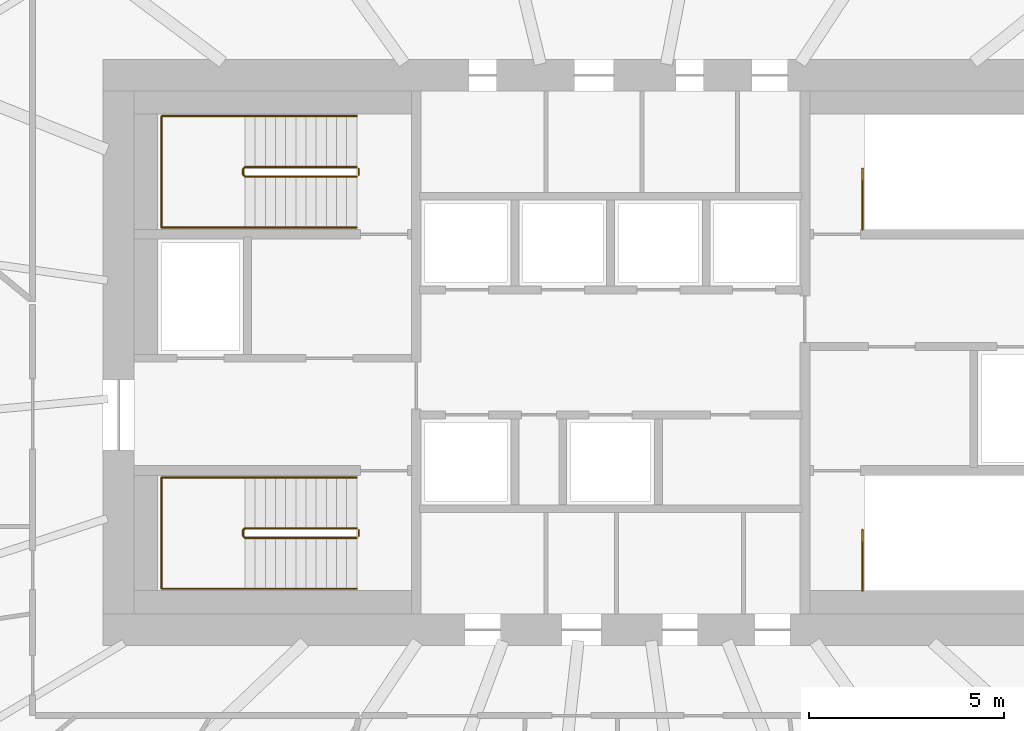
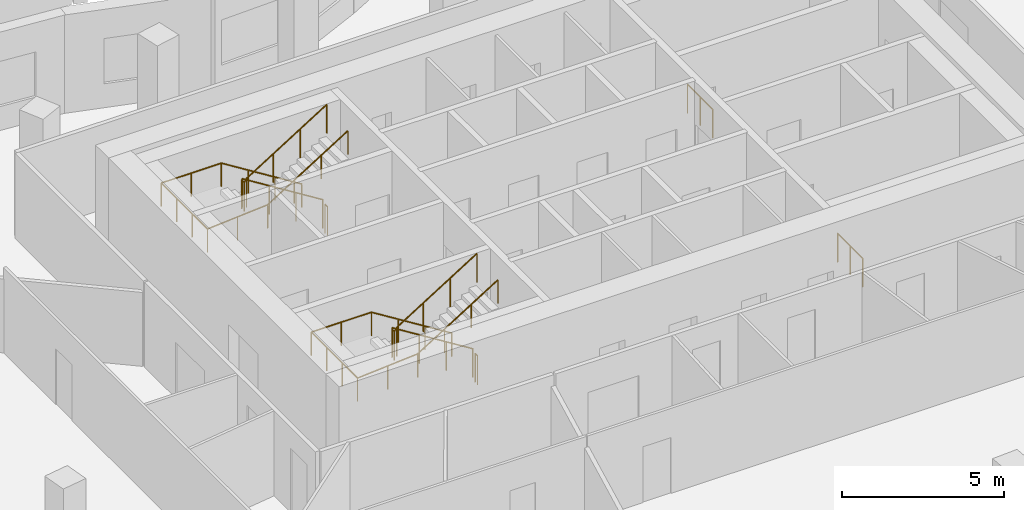
# One storey, part 9 of 9: 8 railings.
"""IFC4 building model written with IfcOpenShell, lengths in metres."""

import ifcopenshell
import ifcopenshell.guid

model = None  # the IFC model being written
_history = None  # IfcOwnerHistory: only IFC2X3 demands one
_inside = {}  # id of a spatial element -> (the spatial element, [elements in it])
_under = {}  # id of a project, library or spatial element -> (it, [spatial elements below it])
_declared = {}  # id of a project -> (the project, [libraries it declares])
_typed = {}  # id of a type object -> (the type object, [elements of that type])
_made_of = {}  # id of a material, layer set ... -> (it, [elements and type objects made of it])


def new_model(schema):
    """Start an empty IFC model of exactly this schema.

    Asked for "IFC4X3", IfcOpenShell would pick the latest addendum, in which some entities
    have other attributes; the version numbers below select the first issue.
    IFC2X3 requires an IfcOwnerHistory on every rooted entity: one is made here for all.
    """
    global model, _history
    if schema == "IFC4X3":
        model = ifcopenshell.file(schema_version=(4, 3, 0, 0))
    else:
        model = ifcopenshell.file(schema=schema)
    _inside.clear()
    _under.clear()
    _declared.clear()
    _typed.clear()
    _made_of.clear()
    _history = None
    if model.schema == "IFC2X3":
        org = make("IfcOrganization", Name="unknown")
        user = make(
            "IfcPersonAndOrganization",
            ThePerson=make("IfcPerson", FamilyName="unknown"),
            TheOrganization=org,
        )
        app = make(
            "IfcApplication",
            ApplicationDeveloper=org,
            Version="unknown",
            ApplicationFullName="unknown",
            ApplicationIdentifier="unknown",
        )
        _history = make(
            "IfcOwnerHistory",
            OwningUser=user,
            OwningApplication=app,
            ChangeAction="ADDED",
            CreationDate=0,
        )
    return model


def make(cls, **values):
    """One entity of the class cls with the attributes given. An attribute that is None is left unset."""
    return model.create_entity(
        cls, **{name: value for name, value in values.items() if value is not None}
    )


def rooted(cls, **values):
    """An entity with a GlobalId (a new one), such as an element, a storey or a relation."""
    return make(cls, GlobalId=ifcopenshell.guid.new(), OwnerHistory=_history, **values)


def si_unit(unit_type, name, prefix=None):
    """IfcSIUnit, for example si_unit("LENGTHUNIT", "METRE", prefix="MILLI")."""
    return make("IfcSIUnit", UnitType=unit_type, Prefix=prefix, Name=name)


def assignment(units):
    """IfcUnitAssignment: the units of a project."""
    return None if units is None else make("IfcUnitAssignment", Units=units)


def point(xyz):
    """IfcCartesianPoint."""
    return None if xyz is None else make("IfcCartesianPoint", Coordinates=xyz)


def direction(xyz):
    """IfcDirection."""
    return None if xyz is None else make("IfcDirection", DirectionRatios=xyz)


def frame(location, z_axis=None, x_axis=None):
    """IfcAxis2Placement3D, a coordinate frame: its origin and axes. An axis left out is left unset."""
    return make(
        "IfcAxis2Placement3D",
        Location=point(location),
        Axis=direction(z_axis),
        RefDirection=direction(x_axis),
    )


def frame_2d(location, x_axis=None):
    """IfcAxis2Placement2D, a coordinate frame in the plane: its origin and x axis."""
    return make(
        "IfcAxis2Placement2D", Location=point(location), RefDirection=direction(x_axis)
    )


def origin():
    """The frame at (0, 0, 0) with its axes left unset."""
    return frame((0.0, 0.0, 0.0))


def origin_2d():
    """The frame at (0, 0) in the plane with its x axis left unset."""
    return frame_2d((0.0, 0.0))


def place(relative_to, where):
    """IfcLocalPlacement: puts the frame where relative to a parent placement (None: the world)."""
    return make(
        "IfcLocalPlacement", PlacementRelTo=relative_to, RelativePlacement=where
    )


def context(
    kind, dimensions, precision=None, world=None, true_north=None, identifier=None
):
    """IfcGeometricRepresentationContext, for example the 3D "Model" context."""
    return make(
        "IfcGeometricRepresentationContext",
        ContextIdentifier=identifier,
        ContextType=kind,
        CoordinateSpaceDimension=dimensions,
        Precision=precision,
        WorldCoordinateSystem=world,
        TrueNorth=true_north,
    )


def subcontext(parent, identifier, kind, view, scale=None):
    """IfcGeometricRepresentationSubContext, for example "Body" below "Model"."""
    return make(
        "IfcGeometricRepresentationSubContext",
        ContextIdentifier=identifier,
        ContextType=kind,
        ParentContext=parent,
        TargetScale=scale,
        TargetView=view,
    )


def project(units=None, contexts=None):
    """IfcProject with its units and contexts."""
    return rooted(
        "IfcProject",
        Name="project",
        RepresentationContexts=contexts,
        UnitsInContext=assignment(units),
    )


def spatial(cls, under=None, at=None, **own):
    """A site, building, storey or space (cls), placed at a placement, below another one or the project."""
    s = rooted(cls, ObjectPlacement=at, **own)
    if under is not None:
        _under.setdefault(under.id(), (under, []))[1].append(s)
    return s


def profile(cls, at=None, kind="AREA", **sizes):
    """A parametric profile (cls). Its sizes go by their IFC names, for example OverallWidth=200.0."""
    return make(cls, ProfileType=kind, Position=at, **sizes)


def circle(**sizes):
    """IfcCircleProfileDef."""
    return profile("IfcCircleProfileDef", **sizes)


def extrude(swept, where, along, depth):
    """IfcExtrudedAreaSolid: the profile swept, set in the frame where, extruded along a direction by depth."""
    return make(
        "IfcExtrudedAreaSolid",
        SweptArea=swept,
        Position=where,
        ExtrudedDirection=direction(along),
        Depth=depth,
    )


def shape(context_of_items, identifier, shape_type, items):
    """IfcShapeRepresentation: the items that make up one representation, for example the "Body"."""
    return make(
        "IfcShapeRepresentation",
        ContextOfItems=context_of_items,
        RepresentationIdentifier=identifier,
        RepresentationType=shape_type,
        Items=items,
    )


def material(Name=None, Category=None):
    """IfcMaterial."""
    return make("IfcMaterial", Name=Name, Category=Category)


def made_of(thing, what):
    """Note that an element or type object is made of a material, layer set ...; save() writes the relation."""
    if what is not None:
        _made_of.setdefault(what.id(), (what, []))[1].append(thing)
    return thing


def type_object(cls, material=None, **own):
    """A type object (cls), such as IfcWallType, which elements share."""
    return made_of(rooted(cls, **own), material)


def element(
    cls,
    number,
    at=None,
    inside=None,
    cuts=None,
    type_object=None,
    material=None,
    context=None,
    identifier="Body",
    shape_type=None,
    held_by="IfcProductDefinitionShape",
    body=None,
    shapes=None,
    **own,
):
    """One element of the class cls, such as IfcWall. Its Tag is "e" and its number.

    at: its placement. inside: the storey or other place that contains it. cuts: it is an
    opening in that element (IfcRelVoidsElement). A single representation is given by context,
    identifier, shape_type and body (its items); several are given by shapes. held_by: the class
    of the entity that holds the representations. save() writes the other relations.
    """
    e = rooted(cls, Tag="e%d" % number, ObjectPlacement=at, **own)
    if body is not None:
        shapes = [shape(context, identifier, shape_type, body)]
    if shapes is not None:
        e.Representation = make(held_by, Representations=shapes)
    if inside is not None:
        _inside.setdefault(inside.id(), (inside, []))[1].append(e)
    if cuts is not None:
        rooted(
            "IfcRelVoidsElement", RelatingBuildingElement=cuts, RelatedOpeningElement=e
        )
    if type_object is not None:
        _typed.setdefault(type_object.id(), (type_object, []))[1].append(e)
    return made_of(e, material)


def aggregate(whole, parts):
    """IfcRelAggregates: a whole, such as a stair, and the parts it consists of."""
    return rooted("IfcRelAggregates", RelatingObject=whole, RelatedObjects=parts)


def save(model, path):
    """Write the relations noted so far, then the file.

    IfcRelAggregates (storeys below a building ...), IfcRelContainedInSpatialStructure (elements
    in a storey), IfcRelDefinesByType, IfcRelAssociatesMaterial and IfcRelDeclares: one each for
    every whole, place, type object, material and project.
    """
    for whole, parts in _under.values():
        aggregate(whole, parts)
    for where, things in _inside.values():
        rooted(
            "IfcRelContainedInSpatialStructure",
            RelatedElements=things,
            RelatingStructure=where,
        )
    for kind, things in _typed.values():
        rooted("IfcRelDefinesByType", RelatedObjects=things, RelatingType=kind)
    for what, things in _made_of.values():
        rooted("IfcRelAssociatesMaterial", RelatedObjects=things, RelatingMaterial=what)
    for by, libraries in _declared.values():
        rooted("IfcRelDeclares", RelatingContext=by, RelatedDefinitions=libraries)
    model.write(path)


model = new_model("IFC4")

# Units and contexts
model_context = context("Model", 3, precision=1e-05, world=origin(), true_north=direction((0.0, 1.0)))
body_context = subcontext(model_context, "Body", "Model", "MODEL_VIEW")
ifc_project = project(units=[si_unit("LENGTHUNIT", "METRE"), si_unit("AREAUNIT", "SQUARE_METRE"), si_unit("VOLUMEUNIT", "CUBIC_METRE"), si_unit("PLANEANGLEUNIT", "RADIAN"), si_unit("MASSUNIT", "GRAM", prefix="KILO")], contexts=[model_context])

# Site, building, storey
site_placement = place(None, origin())
site = spatial("IfcSite", under=ifc_project, at=site_placement, CompositionType="ELEMENT")
building_placement = place(site_placement, origin())
building = spatial("IfcBuilding", under=site, at=building_placement, Name="Rubra Terraces Tower", CompositionType="ELEMENT")
storey_placement = place(building_placement, frame((0.0, 0.0, 303.89990234375)))
storey = spatial("IfcBuildingStorey", under=building, at=storey_placement, Name="L75", CompositionType="ELEMENT", Elevation=303.89990234375)

# Railings
ifc_material = material(Name="Stainless steel", Category="steel")
railing_type_1 = type_object("IfcRailingType", Name="Core stair guard 1100", PredefinedType="GUARDRAIL", material=ifc_material)
railing_1_placement = place(storey_placement, frame((-6.5, 0.0, 0.16259765625)))
element("IfcRailing", 1, at=railing_1_placement, inside=storey, type_object=railing_type_1, Name="L75 stair S1 guard 1", PredefinedType="GUARDRAIL", context=body_context, shape_type="SweptSolid", body=[
    extrude(circle(Radius=0.02392578125, at=origin_2d()), frame((0.0, 0.0, 1.076171875), z_axis=(-0.847994237388, 0.0, 0.530005446535), x_axis=(0.0, -1.0, 0.0)), (0.0, 0.0, 1.0), 3.372802734375),
    extrude(circle(Radius=0.02392578125, at=origin_2d()), frame((-2.860107421875, 0.0, 2.86376953125), z_axis=(-0.705375805398, -0.708833529934, 0.0), x_axis=(0.708833529934, -0.705375805398, 0.0)), (0.0, 0.0, 1.0), 0.070556640625),
    extrude(circle(Radius=0.02392578125, at=origin_2d()), frame((-2.909912109375, -0.050048828125, 2.86376953125), z_axis=(0.0, -1.0, 0.0), x_axis=(1.0, 0.0, 0.0)), (0.0, 0.0, 1.0), 0.14990234375),
    extrude(circle(Radius=0.02392578125, at=origin_2d()), frame((-2.909912109375, -0.199951171875, 2.86376953125), z_axis=(0.281314826061, -0.282693820306, 0.917031173188), x_axis=(0.708833529934, 0.705375805398, 0.0)), (0.0, 0.0, 1.0), 0.177001953125),
    extrude(circle(Radius=0.02392578125, at=origin_2d()), frame((-2.860107421875, -0.25, 3.02587890625), z_axis=(0.847994237388, 0.0, 0.530005446535), x_axis=(0.0, 1.0, 0.0)), (0.0, 0.0, 1.0), 3.372802734375),
    extrude(circle(Radius=0.02099609375, at=origin_2d()), origin(), (0.0, 0.0, 1.0), 1.052001953125),
    extrude(circle(Radius=0.02099609375, at=origin_2d()), frame((-0.953369140625, 0.0, 0.595947265625)), (0.0, 0.0, 1.0), 1.052001953125),
    extrude(circle(Radius=0.02099609375, at=origin_2d()), frame((-1.90673828125, 0.0, 1.191650390625)), (0.0, 0.0, 1.0), 1.052001953125),
    extrude(circle(Radius=0.02099609375, at=origin_2d()), frame((-2.860107421875, 0.0, 1.78759765625)), (0.0, 0.0, 1.0), 1.052001953125),
    extrude(circle(Radius=0.02099609375, at=origin_2d()), frame((-2.909912109375, -0.050048828125, 1.78759765625)), (0.0, 0.0, 1.0), 1.052001953125),
    extrude(circle(Radius=0.02099609375, at=origin_2d()), frame((-2.909912109375, -0.199951171875, 1.78759765625)), (0.0, 0.0, 1.0), 1.052001953125),
    extrude(circle(Radius=0.02099609375, at=origin_2d()), frame((-2.860107421875, -0.25, 1.949951171875)), (0.0, 0.0, 1.0), 1.052001953125),
    extrude(circle(Radius=0.02099609375, at=origin_2d()), frame((-1.90673828125, -0.25, 2.5458984375)), (0.0, 0.0, 1.0), 1.052001953125),
    extrude(circle(Radius=0.02099609375, at=origin_2d()), frame((-0.953369140625, -0.25, 3.1416015625)), (0.0, 0.0, 1.0), 1.052001953125),
    extrude(circle(Radius=0.02099609375, at=origin_2d()), frame((0.0, -0.25, 3.737548828125)), (0.0, 0.0, 1.0), 1.052001953125),
])
railing_2_placement = place(storey_placement, frame((-6.449951171875, -0.050048828125, 0.0)))
element("IfcRailing", 2, at=railing_2_placement, inside=storey, type_object=railing_type_1, Name="L75 stair S1 guard 2", PredefinedType="GUARDRAIL", context=body_context, shape_type="SweptSolid", body=[
    extrude(circle(Radius=0.02392578125, at=origin_2d()), frame((0.0, 0.0, 1.076171875), z_axis=(0.0, -1.0, 0.0), x_axis=(1.0, 0.0, 0.0)), (0.0, 0.0, 1.0), 0.14990234375),
    extrude(circle(Radius=0.02099609375, at=origin_2d()), origin(), (0.0, 0.0, 1.0), 1.052001953125),
    extrude(circle(Radius=0.02099609375, at=origin_2d()), frame((0.0, -0.14990234375, 0.0)), (0.0, 0.0, 1.0), 1.052001953125),
])
railing_3_placement = place(storey_placement, frame((-6.5, 9.25, 0.16259765625)))
element("IfcRailing", 3, at=railing_3_placement, inside=storey, type_object=railing_type_1, Name="L75 stair S2 guard 1", PredefinedType="GUARDRAIL", context=body_context, shape_type="SweptSolid", body=[
    extrude(circle(Radius=0.02392578125, at=origin_2d()), frame((0.0, 0.0, 1.076171875), z_axis=(-0.847994237388, 0.0, 0.530005446535), x_axis=(0.0, -1.0, 0.0)), (0.0, 0.0, 1.0), 3.372802734375),
    extrude(circle(Radius=0.02392578125, at=origin_2d()), frame((-2.860107421875, 0.0, 2.86376953125), z_axis=(-0.705375805398, -0.708833529934, 0.0), x_axis=(0.708833529934, -0.705375805398, 0.0)), (0.0, 0.0, 1.0), 0.070556640625),
    extrude(circle(Radius=0.02392578125, at=origin_2d()), frame((-2.909912109375, -0.050048828125, 2.86376953125), z_axis=(0.0, -1.0, 0.0), x_axis=(1.0, 0.0, 0.0)), (0.0, 0.0, 1.0), 0.14990234375),
    extrude(circle(Radius=0.02392578125, at=origin_2d()), frame((-2.909912109375, -0.199951171875, 2.86376953125), z_axis=(0.281314826061, -0.282693820306, 0.917031173188), x_axis=(0.708833529934, 0.705375805398, 0.0)), (0.0, 0.0, 1.0), 0.177001953125),
    extrude(circle(Radius=0.02392578125, at=origin_2d()), frame((-2.860107421875, -0.25, 3.02587890625), z_axis=(0.847994237388, 0.0, 0.530005446535), x_axis=(0.0, 1.0, 0.0)), (0.0, 0.0, 1.0), 3.372802734375),
    extrude(circle(Radius=0.02099609375, at=origin_2d()), origin(), (0.0, 0.0, 1.0), 1.052001953125),
    extrude(circle(Radius=0.02099609375, at=origin_2d()), frame((-0.953369140625, 0.0, 0.595947265625)), (0.0, 0.0, 1.0), 1.052001953125),
    extrude(circle(Radius=0.02099609375, at=origin_2d()), frame((-1.90673828125, 0.0, 1.191650390625)), (0.0, 0.0, 1.0), 1.052001953125),
    extrude(circle(Radius=0.02099609375, at=origin_2d()), frame((-2.860107421875, 0.0, 1.78759765625)), (0.0, 0.0, 1.0), 1.052001953125),
    extrude(circle(Radius=0.02099609375, at=origin_2d()), frame((-2.909912109375, -0.050048828125, 1.78759765625)), (0.0, 0.0, 1.0), 1.052001953125),
    extrude(circle(Radius=0.02099609375, at=origin_2d()), frame((-2.909912109375, -0.199951171875, 1.78759765625)), (0.0, 0.0, 1.0), 1.052001953125),
    extrude(circle(Radius=0.02099609375, at=origin_2d()), frame((-2.860107421875, -0.25, 1.949951171875)), (0.0, 0.0, 1.0), 1.052001953125),
    extrude(circle(Radius=0.02099609375, at=origin_2d()), frame((-1.90673828125, -0.25, 2.5458984375)), (0.0, 0.0, 1.0), 1.052001953125),
    extrude(circle(Radius=0.02099609375, at=origin_2d()), frame((-0.953369140625, -0.25, 3.1416015625)), (0.0, 0.0, 1.0), 1.052001953125),
    extrude(circle(Radius=0.02099609375, at=origin_2d()), frame((0.0, -0.25, 3.737548828125)), (0.0, 0.0, 1.0), 1.052001953125),
])
railing_4_placement = place(storey_placement, frame((-6.449951171875, 9.199951171875, 0.0)))
element("IfcRailing", 4, at=railing_4_placement, inside=storey, type_object=railing_type_1, Name="L75 stair S2 guard 2", PredefinedType="GUARDRAIL", context=body_context, shape_type="SweptSolid", body=[
    extrude(circle(Radius=0.02392578125, at=origin_2d()), frame((0.0, 0.0, 1.076171875), z_axis=(0.0, -1.0, 0.0), x_axis=(1.0, 0.0, 0.0)), (0.0, 0.0, 1.0), 0.14990234375),
    extrude(circle(Radius=0.02099609375, at=origin_2d()), origin(), (0.0, 0.0, 1.0), 1.052001953125),
    extrude(circle(Radius=0.02099609375, at=origin_2d()), frame((0.0, -0.14990234375, 0.0)), (0.0, 0.0, 1.0), 1.052001953125),
])
for number, where, name in (
    (5, (6.449951171875, 7.64990234375, 0.0), "L75 stair S3 top guard 1"),
    (6, (6.449951171875, -1.60009765625, 0.0), "L75 stair S4 top guard 1"),
):
    element("IfcRailing", number, at=place(storey_placement, frame(where)), inside=storey, type_object=railing_type_1, Name=name, PredefinedType="GUARDRAIL", context=body_context, shape_type="SweptSolid", body=[
        extrude(circle(Radius=0.02392578125, at=origin_2d()), frame((0.0, 0.0, 1.076171875), z_axis=(0.0, 1.0, 0.0), x_axis=(-1.0, 0.0, 0.0)), (0.0, 0.0, 1.0), 1.550048828125),
        extrude(circle(Radius=0.02099609375, at=origin_2d()), origin(), (0.0, 0.0, 1.0), 1.052001953125),
        extrude(circle(Radius=0.02099609375, at=origin_2d()), frame((0.0, 0.77490234375, 0.0)), (0.0, 0.0, 1.0), 1.052001953125),
        extrude(circle(Radius=0.02099609375, at=origin_2d()), frame((0.0, 1.550048828125, 0.0)), (0.0, 0.0, 1.0), 1.052001953125),
    ])
railing_type_2 = type_object("IfcRailingType", Name="Core stair handrail 900", PredefinedType="HANDRAIL", material=ifc_material)
railing_5_placement = place(storey_placement, frame((-6.5, 1.300048828125, 0.16259765625)))
element("IfcRailing", 7, at=railing_5_placement, inside=storey, type_object=railing_type_2, Name="L75 stair S1 handrail 1", PredefinedType="HANDRAIL", context=body_context, shape_type="SweptSolid", body=[
    extrude(circle(Radius=0.02392578125, at=origin_2d()), frame((0.0, 0.0, 0.8759765625), z_axis=(-0.847994237388, 0.0, 0.530005446535), x_axis=(0.0, -1.0, 0.0)), (0.0, 0.0, 1.0), 3.372802734375),
    extrude(circle(Radius=0.02392578125, at=origin_2d()), frame((-2.860107421875, 0.0, 2.66357421875), z_axis=(-1.0, 0.0, 0.0), x_axis=(0.0, -1.0, 0.0)), (0.0, 0.0, 1.0), 2.139892578125),
    extrude(circle(Radius=0.02392578125, at=origin_2d()), frame((-5.0, 0.0, 2.66357421875), z_axis=(0.0, -1.0, 0.0), x_axis=(1.0, 0.0, 0.0)), (0.0, 0.0, 1.0), 2.85009765625),
    extrude(circle(Radius=0.02392578125, at=origin_2d()), frame((-5.0, -2.85009765625, 2.66357421875), z_axis=(0.9971342424, 0.0, 0.075652512401), x_axis=(0.0, 1.0, 0.0)), (0.0, 0.0, 1.0), 2.14599609375),
    extrude(circle(Radius=0.02392578125, at=origin_2d()), frame((-2.860107421875, -2.85009765625, 2.82568359375), z_axis=(0.847994237388, 0.0, 0.530005446535), x_axis=(0.0, 1.0, 0.0)), (0.0, 0.0, 1.0), 3.372802734375),
    extrude(circle(Radius=0.02099609375, at=origin_2d()), origin(), (0.0, 0.0, 1.0), 0.851806640625),
    extrude(circle(Radius=0.02099609375, at=origin_2d()), frame((-0.953369140625, 0.0, 0.595947265625)), (0.0, 0.0, 1.0), 0.851806640625),
    extrude(circle(Radius=0.02099609375, at=origin_2d()), frame((-1.90673828125, 0.0, 1.191650390625)), (0.0, 0.0, 1.0), 0.851806640625),
    extrude(circle(Radius=0.02099609375, at=origin_2d()), frame((-2.860107421875, 0.0, 1.78759765625)), (0.0, 0.0, 1.0), 0.851806640625),
    extrude(circle(Radius=0.02099609375, at=origin_2d()), frame((-3.93017578125, 0.0, 1.78759765625)), (0.0, 0.0, 1.0), 0.851806640625),
    extrude(circle(Radius=0.02099609375, at=origin_2d()), frame((-5.0, 0.0, 1.78759765625)), (0.0, 0.0, 1.0), 0.851806640625),
    extrude(circle(Radius=0.02099609375, at=origin_2d()), frame((-5.0, -0.949951171875, 1.78759765625)), (0.0, 0.0, 1.0), 0.851806640625),
    extrude(circle(Radius=0.02099609375, at=origin_2d()), frame((-5.0, -1.900146484375, 1.78759765625)), (0.0, 0.0, 1.0), 0.851806640625),
    extrude(circle(Radius=0.02099609375, at=origin_2d()), frame((-5.0, -2.85009765625, 1.78759765625)), (0.0, 0.0, 1.0), 0.851806640625),
    extrude(circle(Radius=0.02099609375, at=origin_2d()), frame((-3.93017578125, -2.85009765625, 1.86865234375)), (0.0, 0.0, 1.0), 0.851806640625),
    extrude(circle(Radius=0.02099609375, at=origin_2d()), frame((-2.860107421875, -2.85009765625, 1.949951171875)), (0.0, 0.0, 1.0), 0.851806640625),
    extrude(circle(Radius=0.02099609375, at=origin_2d()), frame((-1.90673828125, -2.85009765625, 2.5458984375)), (0.0, 0.0, 1.0), 0.851806640625),
    extrude(circle(Radius=0.02099609375, at=origin_2d()), frame((-0.953369140625, -2.85009765625, 3.1416015625)), (0.0, 0.0, 1.0), 0.851806640625),
    extrude(circle(Radius=0.02099609375, at=origin_2d()), frame((0.0, -2.85009765625, 3.737548828125)), (0.0, 0.0, 1.0), 0.851806640625),
])
railing_6_placement = place(storey_placement, frame((-6.5, 10.550048828125, 0.16259765625)))
element("IfcRailing", 8, at=railing_6_placement, inside=storey, type_object=railing_type_2, Name="L75 stair S2 handrail 1", PredefinedType="HANDRAIL", context=body_context, shape_type="SweptSolid", body=[
    extrude(circle(Radius=0.02392578125, at=origin_2d()), frame((0.0, 0.0, 0.8759765625), z_axis=(-0.847994237388, 0.0, 0.530005446535), x_axis=(0.0, -1.0, 0.0)), (0.0, 0.0, 1.0), 3.372802734375),
    extrude(circle(Radius=0.02392578125, at=origin_2d()), frame((-2.860107421875, 0.0, 2.66357421875), z_axis=(-1.0, 0.0, 0.0), x_axis=(0.0, -1.0, 0.0)), (0.0, 0.0, 1.0), 2.139892578125),
    extrude(circle(Radius=0.02392578125, at=origin_2d()), frame((-5.0, 0.0, 2.66357421875), z_axis=(0.0, -1.0, 0.0), x_axis=(1.0, 0.0, 0.0)), (0.0, 0.0, 1.0), 2.85009765625),
    extrude(circle(Radius=0.02392578125, at=origin_2d()), frame((-5.0, -2.85009765625, 2.66357421875), z_axis=(0.9971342424, 0.0, 0.075652512401), x_axis=(0.0, 1.0, 0.0)), (0.0, 0.0, 1.0), 2.14599609375),
    extrude(circle(Radius=0.02392578125, at=origin_2d()), frame((-2.860107421875, -2.85009765625, 2.82568359375), z_axis=(0.847994237388, 0.0, 0.530005446535), x_axis=(0.0, 1.0, 0.0)), (0.0, 0.0, 1.0), 3.372802734375),
    extrude(circle(Radius=0.02099609375, at=origin_2d()), origin(), (0.0, 0.0, 1.0), 0.851806640625),
    extrude(circle(Radius=0.02099609375, at=origin_2d()), frame((-0.953369140625, 0.0, 0.595947265625)), (0.0, 0.0, 1.0), 0.851806640625),
    extrude(circle(Radius=0.02099609375, at=origin_2d()), frame((-1.90673828125, 0.0, 1.191650390625)), (0.0, 0.0, 1.0), 0.851806640625),
    extrude(circle(Radius=0.02099609375, at=origin_2d()), frame((-2.860107421875, 0.0, 1.78759765625)), (0.0, 0.0, 1.0), 0.851806640625),
    extrude(circle(Radius=0.02099609375, at=origin_2d()), frame((-3.93017578125, 0.0, 1.78759765625)), (0.0, 0.0, 1.0), 0.851806640625),
    extrude(circle(Radius=0.02099609375, at=origin_2d()), frame((-5.0, 0.0, 1.78759765625)), (0.0, 0.0, 1.0), 0.851806640625),
    extrude(circle(Radius=0.02099609375, at=origin_2d()), frame((-5.0, -0.949951171875, 1.78759765625)), (0.0, 0.0, 1.0), 0.851806640625),
    extrude(circle(Radius=0.02099609375, at=origin_2d()), frame((-5.0, -1.900146484375, 1.78759765625)), (0.0, 0.0, 1.0), 0.851806640625),
    extrude(circle(Radius=0.02099609375, at=origin_2d()), frame((-5.0, -2.85009765625, 1.78759765625)), (0.0, 0.0, 1.0), 0.851806640625),
    extrude(circle(Radius=0.02099609375, at=origin_2d()), frame((-3.93017578125, -2.85009765625, 1.86865234375)), (0.0, 0.0, 1.0), 0.851806640625),
    extrude(circle(Radius=0.02099609375, at=origin_2d()), frame((-2.860107421875, -2.85009765625, 1.949951171875)), (0.0, 0.0, 1.0), 0.851806640625),
    extrude(circle(Radius=0.02099609375, at=origin_2d()), frame((-1.90673828125, -2.85009765625, 2.5458984375)), (0.0, 0.0, 1.0), 0.851806640625),
    extrude(circle(Radius=0.02099609375, at=origin_2d()), frame((-0.953369140625, -2.85009765625, 3.1416015625)), (0.0, 0.0, 1.0), 0.851806640625),
    extrude(circle(Radius=0.02099609375, at=origin_2d()), frame((0.0, -2.85009765625, 3.737548828125)), (0.0, 0.0, 1.0), 0.851806640625),
])

save(model, "model.ifc")
